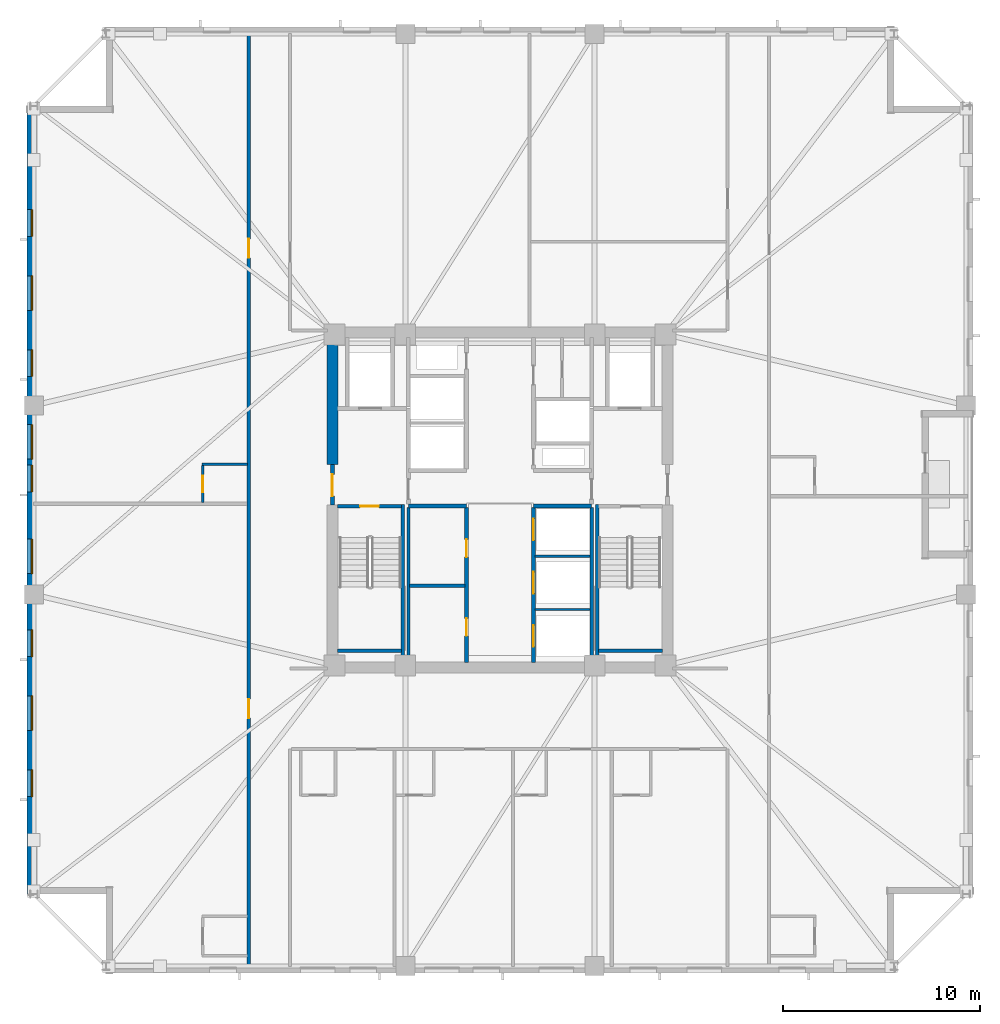
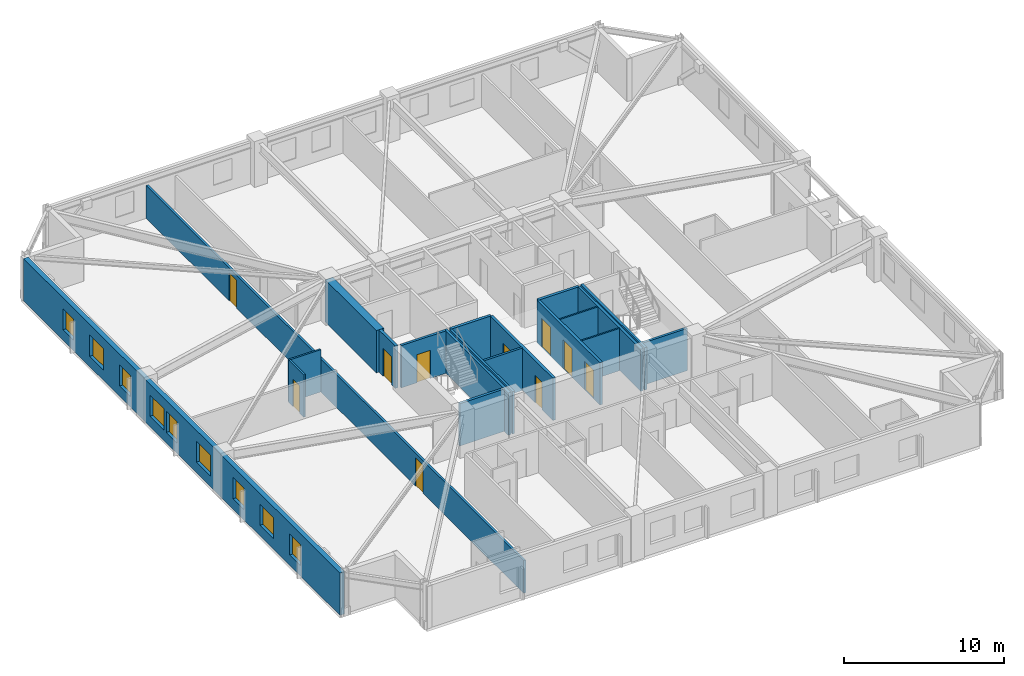
# One storey, part 3 of 11: 20 walls, 10 doors, 9 windows, 19 openings.
"""IFC4 building model written with IfcOpenShell, lengths in metres."""

from ifc_helpers import new_model, si_unit, direction, frame, frame_2d, origin, place, context, subcontext, project, spatial, rectangle, extrude, material, layer, layer_set, type_object, element, fill, save


model = new_model("IFC4")

# Units and contexts
model_context = context("Model", 3, precision=1e-05, world=origin(), true_north=direction((0.0, 1.0)))
body_context = subcontext(model_context, "Body", "Model", "MODEL_VIEW")
ifc_project = project(units=[si_unit("LENGTHUNIT", "METRE"), si_unit("AREAUNIT", "SQUARE_METRE"), si_unit("VOLUMEUNIT", "CUBIC_METRE"), si_unit("PLANEANGLEUNIT", "RADIAN"), si_unit("MASSUNIT", "GRAM", prefix="KILO")], contexts=[model_context])

# Site, building, storey
site_placement = place(None, origin())
site = spatial("IfcSite", under=ifc_project, at=site_placement, CompositionType="ELEMENT")
building_placement = place(site_placement, origin())
building = spatial("IfcBuilding", under=site, at=building_placement, Name="Cairnveth Concourse Tower", CompositionType="ELEMENT")
storey_placement = place(building_placement, frame((0.0, 0.0, 190.0)))
storey = spatial("IfcBuildingStorey", under=building, at=storey_placement, Name="L52", CompositionType="ELEMENT", Elevation=190.0)

# Walls
ifc_material_1 = material(Name="Gypsum Plasterboard Partition", Category="gypsum")
ifc_layer_1 = layer(ifc_material_1, 0.159912109375)
ifc_layer_set_1 = layer_set([ifc_layer_1], Name="Gypsum Plasterboard Partition")
wall_type_1 = type_object("IfcWallType", Name="ACOUSTIC PARTY WALL 180", PredefinedType="PARTITIONING", material=ifc_layer_set_1)
wall_1_placement = place(storey_placement, frame((47.35009765625, 30.760009765625, 0.0), z_axis=(0.0, 0.0, 1.0), x_axis=(0.0, 1.0, 0.0)))
element("IfcWall", 1, at=wall_1_placement, inside=storey, type_object=wall_type_1, Name="Interior Wall IW-L52-025", PredefinedType="PARTITIONING", context=body_context, shape_type="SweptSolid", body=[
    extrude(rectangle(XDim=7.85498046875, YDim=0.159912109375, at=frame_2d((3.927490234375, 0.0))), origin(), (0.0, 0.0, 1.0), 3.239990234375),
])
wall_2_placement = place(storey_placement, frame((47.4150390625, 34.64990234375, 0.0), z_axis=(0.0, 0.0, 1.0), x_axis=(1.0, 0.0, 0.0)))
element("IfcWall", 2, at=wall_2_placement, inside=storey, type_object=wall_type_1, Name="Interior Wall IW-L52-026", PredefinedType="PARTITIONING", context=body_context, shape_type="SweptSolid", body=[
    extrude(rectangle(XDim=2.800048828125, YDim=0.159912109375, at=frame_2d((1.39990234375, 0.0))), origin(), (0.0, 0.0, 1.0), 3.239990234375),
])

# Wall, openings, doors
wall_3_placement = place(storey_placement, frame((39.25, 15.324951171875, 0.0), z_axis=(0.0, 0.0, 1.0), x_axis=(0.0, 1.0, 0.0)))
wall_3 = element("IfcWall", 3, at=wall_3_placement, inside=storey, type_object=wall_type_1, Name="Interior Wall IW-L52-037", PredefinedType="PARTITIONING", context=body_context, shape_type="SweptSolid", body=[
    extrude(rectangle(XDim=47.35009765625, YDim=0.159912109375, at=frame_2d((23.675048828125, 0.0))), origin(), (0.0, 0.0, 1.0), 2.514892578125),
])
opening_1_placement = place(wall_3_placement, frame((12.60986328125, 0.0, 0.0)))
opening_1 = element("IfcOpeningElement", 4, at=opening_1_placement, cuts=wall_3, Name="Opening ID09", PredefinedType="OPENING", context=body_context, shape_type="SweptSolid", body=[
    extrude(rectangle(XDim=0.9599609375, YDim=2.14990234375, at=frame_2d((0.47998046875, 1.074951171875))), frame((0.0, 0.08984375, 0.0), z_axis=(0.0, -1.0, 0.0), x_axis=(1.0, 0.0, 0.0)), (0.0, 0.0, 1.0), 0.179931640625),
])
opening_2_placement = place(wall_3_placement, frame((35.965087890625, 0.0, 0.0)))
opening_2 = element("IfcOpeningElement", 5, at=opening_2_placement, cuts=wall_3, Name="Opening ID09", PredefinedType="OPENING", context=body_context, shape_type="SweptSolid", body=[
    extrude(rectangle(XDim=0.9599609375, YDim=2.14990234375, at=frame_2d((0.47998046875, 1.074951171875))), frame((0.0, 0.08984375, 0.0), z_axis=(0.0, -1.0, 0.0), x_axis=(1.0, 0.0, 0.0)), (0.0, 0.0, 1.0), 0.179931640625),
])
ifc_material_2 = material(Name="Solid Core Hardwood Timber Leaf", Category="wood")
door_type_1 = type_object("IfcDoorType", Name="HOTEL ENTRANCE DOOR 960X2150", OperationType="NOTDEFINED", PredefinedType="DOOR", material=ifc_material_2)
door_1_placement = place(opening_1_placement, origin())
door_1 = element("IfcDoor", 6, at=door_1_placement, inside=storey, type_object=door_type_1, Name="Hotel Room Door L52-W1", OperationType="SINGLE_SWING_RIGHT", OverallHeight=2.14990234375, OverallWidth=0.9599609375, PredefinedType="DOOR", context=body_context, shape_type="SweptSolid", body=[
    extrude(rectangle(XDim=0.9599609375, YDim=2.14990234375, at=frame_2d((0.47998046875, 1.074951171875))), frame((0.0, 0.02490234375, 0.0), z_axis=(0.0, -1.0, 0.0), x_axis=(1.0, 0.0, 0.0)), (0.0, 0.0, 1.0), 0.050048828125),
])
fill(opening_1, door_1)
door_2_placement = place(opening_2_placement, origin())
door_2 = element("IfcDoor", 7, at=door_2_placement, inside=storey, type_object=door_type_1, Name="Hotel Room Door L52-W2", OperationType="SINGLE_SWING_RIGHT", OverallHeight=2.14990234375, OverallWidth=0.9599609375, PredefinedType="DOOR", context=body_context, shape_type="SweptSolid", body=[
    extrude(rectangle(XDim=0.9599609375, YDim=2.14990234375, at=frame_2d((0.47998046875, 1.074951171875))), frame((0.0, 0.02490234375, 0.0), z_axis=(0.0, -1.0, 0.0), x_axis=(1.0, 0.0, 0.0)), (0.0, 0.0, 1.0), 0.050048828125),
])
fill(opening_2, door_2)

# Walls
ifc_material_3 = material(Name="Concrete N80 (80 MPa)", Category="concrete")
ifc_layer_2 = layer(ifc_material_3, 0.550048828125)
ifc_layer_set_2 = layer_set([ifc_layer_2], Name="Concrete N80 (80 MPa)")
wall_type_2 = type_object("IfcWallType", Name="CORE SHEAR WALL 550", PredefinedType="SHEAR", material=ifc_layer_set_2)
wall_4_placement = place(storey_placement, frame((43.5, 40.800048828125, 0.0), z_axis=(0.0, 0.0, 1.0), x_axis=(0.0, 1.0, 0.0)))
element("IfcWall", 8, at=wall_4_placement, inside=storey, type_object=wall_type_2, Name="Core West Shear Wall N L52", PredefinedType="SHEAR", context=body_context, shape_type="SweptSolid", body=[
    extrude(rectangle(XDim=6.43505859375, YDim=0.550048828125, at=frame_2d((3.217529296875, 0.0))), origin(), (0.0, 0.0, 1.0), 3.239990234375),
])
ifc_material_4 = material(Name="Concrete N50 (50 MPa)", Category="concrete")
ifc_layer_3 = layer(ifc_material_4, 0.179931640625)
ifc_layer_set_3 = layer_set([ifc_layer_3], Name="Concrete N50 (50 MPa)")
wall_type_3 = type_object("IfcWallType", Name="FIRE SHAFT WALL 180", PredefinedType="SOLIDWALL", material=ifc_layer_set_3)
wall_5_placement = place(storey_placement, frame((56.64990234375, 30.760009765625, 0.0), z_axis=(0.0, 0.0, 1.0), x_axis=(0.0, 1.0, 0.0)))
element("IfcWall", 9, at=wall_5_placement, inside=storey, type_object=wall_type_3, Name="Interior Wall IW-L52-027", PredefinedType="SOLIDWALL", context=body_context, shape_type="SweptSolid", body=[
    extrude(rectangle(XDim=7.85498046875, YDim=0.179931640625, at=frame_2d((3.927490234375, 0.0))), origin(), (0.0, 0.0, 1.0), 3.239990234375),
])

# Wall, opening, door
wall_6_placement = place(storey_placement, frame((43.764892578125, 38.68994140625, 0.0), z_axis=(0.0, 0.0, 1.0), x_axis=(1.0, 0.0, 0.0)))
wall_6 = element("IfcWall", 10, at=wall_6_placement, inside=storey, type_object=wall_type_3, Name="Stair ST-1 Shaft Wall NEAR L52", PredefinedType="SOLIDWALL", context=body_context, shape_type="SweptSolid", body=[
    extrude(rectangle(XDim=3.230224609375, YDim=0.179931640625, at=frame_2d((1.615234375, 0.0))), origin(), (0.0, 0.0, 1.0), 3.239990234375),
])
opening_3_placement = place(wall_6_placement, frame((1.139892578125, 0.0, 0.0)))
opening_3 = element("IfcOpeningElement", 11, at=opening_3_placement, cuts=wall_6, Name="Opening ID12", PredefinedType="OPENING", context=body_context, shape_type="SweptSolid", body=[
    extrude(rectangle(XDim=0.949951171875, YDim=2.14990234375, at=frame_2d((0.47509765625, 1.074951171875))), frame((0.0, 0.099853515625, 0.0), z_axis=(0.0, -1.0, 0.0), x_axis=(1.0, 0.0, 0.0)), (0.0, 0.0, 1.0), 0.199951171875),
])
ifc_material_5 = material(Name="Steel Grade 350", Category="steel")
door_type_2 = type_object("IfcDoorType", Name="FIRE STAIR DOOR 950X2150", OperationType="NOTDEFINED", PredefinedType="DOOR", material=ifc_material_5)
door_3_placement = place(opening_3_placement, origin())
door_3 = element("IfcDoor", 12, at=door_3_placement, inside=storey, type_object=door_type_2, Name="Stair ST-1 Fire Door L52", OperationType="SINGLE_SWING_LEFT", OverallHeight=2.14990234375, OverallWidth=0.949951171875, PredefinedType="DOOR", context=body_context, shape_type="SweptSolid", body=[
    extrude(rectangle(XDim=0.949951171875, YDim=2.14990234375, at=frame_2d((0.47509765625, 1.074951171875))), frame((0.0, 0.02490234375, 0.0), z_axis=(0.0, -1.0, 0.0), x_axis=(1.0, 0.0, 0.0)), (0.0, 0.0, 1.0), 0.050048828125),
])
fill(opening_3, door_3)

# Walls
wall_7_placement = place(storey_placement, frame((43.764892578125, 31.360107421875, 0.0), z_axis=(0.0, 0.0, 1.0), x_axis=(1.0, 0.0, 0.0)))
element("IfcWall", 13, at=wall_7_placement, inside=storey, type_object=wall_type_3, Name="Stair ST-1 Shaft Wall FAR L52", PredefinedType="SOLIDWALL", context=body_context, shape_type="SweptSolid", body=[
    extrude(rectangle(XDim=3.230224609375, YDim=0.179931640625, at=frame_2d((1.615234375, 0.0))), origin(), (0.0, 0.0, 1.0), 3.239990234375),
])
wall_8_placement = place(storey_placement, frame((47.070068359375, 38.780029296875, 0.0), z_axis=(0.0, 0.0, 1.0), x_axis=(0.0, -1.0, 0.0)))
element("IfcWall", 14, at=wall_8_placement, inside=storey, type_object=wall_type_3, Name="Stair ST-1 Shaft Wall RGHT L52", PredefinedType="SOLIDWALL", context=body_context, shape_type="SweptSolid", body=[
    extrude(rectangle(XDim=8.01708984375, YDim=0.179931640625, at=frame_2d((4.008544921875, 0.0))), origin(), (0.0, 0.0, 1.0), 3.239990234375),
])
wall_9_placement = place(storey_placement, frame((57.0048828125, 31.360107421875, 0.0), z_axis=(0.0, 0.0, 1.0), x_axis=(1.0, 0.0, 0.0)))
element("IfcWall", 15, at=wall_9_placement, inside=storey, type_object=wall_type_3, Name="Stair ST-2 Shaft Wall FAR L52", PredefinedType="SOLIDWALL", context=body_context, shape_type="SweptSolid", body=[
    extrude(rectangle(XDim=3.230224609375, YDim=0.179931640625, at=frame_2d((1.615234375, 0.0))), origin(), (0.0, 0.0, 1.0), 3.239990234375),
])
wall_10_placement = place(storey_placement, frame((56.929931640625, 38.780029296875, 0.0), z_axis=(0.0, 0.0, 1.0), x_axis=(0.0, -1.0, 0.0)))
element("IfcWall", 16, at=wall_10_placement, inside=storey, type_object=wall_type_3, Name="Stair ST-2 Shaft Wall LEFT L52", PredefinedType="SOLIDWALL", context=body_context, shape_type="SweptSolid", body=[
    extrude(rectangle(XDim=8.01708984375, YDim=0.179931640625, at=frame_2d((4.008544921875, 0.0))), origin(), (0.0, 0.0, 1.0), 3.239990234375),
])
ifc_layer_4 = layer(ifc_material_4, 0.199951171875)
ifc_layer_set_4 = layer_set([ifc_layer_4], Name="Concrete N50 (50 MPa)")
wall_type_4 = type_object("IfcWallType", Name="FIRE SHAFT WALL 200", PredefinedType="SOLIDWALL", material=ifc_layer_set_4)
for number, where, z_axis, x_axis, name in (
    (17, (47.35009765625, 38.699951171875, 0.0), (0.0, 0.0, 1.0), (1.0, 0.0, 0.0), "Interior Wall IW-L52-007"),
    (18, (53.699951171875, 38.699951171875, 0.0), (0.0, 0.0, 1.0), (1.0, 0.0, 0.0), "Interior Wall IW-L52-009"),
):
    element("IfcWall", number, at=place(storey_placement, frame(where, z_axis=z_axis, x_axis=x_axis)), inside=storey, type_object=wall_type_4, Name=name, PredefinedType="SOLIDWALL", context=body_context, shape_type="SweptSolid", body=[
        extrude(rectangle(XDim=2.949951171875, YDim=0.199951171875, at=frame_2d((1.47509765625, 0.0))), origin(), (0.0, 0.0, 1.0), 3.239990234375),
    ])

# Wall, openings, doors
wall_11_placement = place(storey_placement, frame((50.300048828125, 30.760009765625, 0.0), z_axis=(0.0, 0.0, 1.0), x_axis=(0.0, 1.0, 0.0)))
wall_11 = element("IfcWall", 19, at=wall_11_placement, inside=storey, type_object=wall_type_4, Name="Interior Wall IW-L52-011", PredefinedType="SOLIDWALL", context=body_context, shape_type="SweptSolid", body=[
    extrude(rectangle(XDim=7.85498046875, YDim=0.199951171875, at=frame_2d((3.927490234375, 0.0))), origin(), (0.0, 0.0, 1.0), 3.239990234375),
])
opening_4_placement = place(wall_11_placement, frame((1.340087890625, 0.0, 0.0)))
opening_4 = element("IfcOpeningElement", 20, at=opening_4_placement, cuts=wall_11, Name="Opening ID26", PredefinedType="OPENING", context=body_context, shape_type="SweptSolid", body=[
    extrude(rectangle(XDim=0.89990234375, YDim=2.1201171875, at=frame_2d((0.449951171875, 1.06005859375))), frame((0.0, 0.10986328125, 0.0), z_axis=(0.0, -1.0, 0.0), x_axis=(1.0, 0.0, 0.0)), (0.0, 0.0, 1.0), 0.219970703125),
])
opening_5_placement = place(wall_11_placement, frame((5.340087890625, 0.0, 0.0)))
opening_5 = element("IfcOpeningElement", 21, at=opening_5_placement, cuts=wall_11, Name="Opening ID26", PredefinedType="OPENING", context=body_context, shape_type="SweptSolid", body=[
    extrude(rectangle(XDim=0.89990234375, YDim=2.1201171875, at=frame_2d((0.449951171875, 1.06005859375))), frame((0.0, 0.10986328125, 0.0), z_axis=(0.0, -1.0, 0.0), x_axis=(1.0, 0.0, 0.0)), (0.0, 0.0, 1.0), 0.219970703125),
])
door_type_3 = type_object("IfcDoorType", Name="CORE TOILET FIRE DOOR 900X2120", OperationType="NOTDEFINED", PredefinedType="DOOR", material=ifc_material_5)
door_4_placement = place(opening_4_placement, origin())
door_4 = element("IfcDoor", 22, at=door_4_placement, inside=storey, type_object=door_type_3, Name="Male WC Door L52", OperationType="SINGLE_SWING_LEFT", OverallHeight=2.1201171875, OverallWidth=0.89990234375, PredefinedType="DOOR", context=body_context, shape_type="SweptSolid", body=[
    extrude(rectangle(XDim=0.89990234375, YDim=2.1201171875, at=frame_2d((0.449951171875, 1.06005859375))), frame((0.0, 0.02490234375, 0.0), z_axis=(0.0, -1.0, 0.0), x_axis=(1.0, 0.0, 0.0)), (0.0, 0.0, 1.0), 0.050048828125),
])
fill(opening_4, door_4)
door_5_placement = place(opening_5_placement, origin())
door_5 = element("IfcDoor", 23, at=door_5_placement, inside=storey, type_object=door_type_3, Name="Female WC Door L52", OperationType="SINGLE_SWING_RIGHT", OverallHeight=2.1201171875, OverallWidth=0.89990234375, PredefinedType="DOOR", context=body_context, shape_type="SweptSolid", body=[
    extrude(rectangle(XDim=0.89990234375, YDim=2.1201171875, at=frame_2d((0.449951171875, 1.06005859375))), frame((0.0, 0.02490234375, 0.0), z_axis=(0.0, -1.0, 0.0), x_axis=(1.0, 0.0, 0.0)), (0.0, 0.0, 1.0), 0.050048828125),
])
fill(opening_5, door_5)

wall_12_placement = place(storey_placement, frame((53.699951171875, 30.760009765625, 0.0), z_axis=(0.0, 0.0, 1.0), x_axis=(0.0, 1.0, 0.0)))
wall_12 = element("IfcWall", 24, at=wall_12_placement, inside=storey, type_object=wall_type_4, Name="Interior Wall IW-L52-012", PredefinedType="SOLIDWALL", context=body_context, shape_type="SweptSolid", body=[
    extrude(rectangle(XDim=7.85498046875, YDim=0.199951171875, at=frame_2d((3.927490234375, 0.0))), origin(), (0.0, 0.0, 1.0), 3.239990234375),
])
opening_6_placement = place(wall_12_placement, frame((0.7900390625, 0.0, 0.0)))
opening_6 = element("IfcOpeningElement", 25, at=opening_6_placement, cuts=wall_12, Name="Opening LD-1", PredefinedType="OPENING", context=body_context, shape_type="SweptSolid", body=[
    extrude(rectangle(XDim=1.10009765625, YDim=2.199951171875, at=frame_2d((0.550048828125, 1.10009765625))), frame((0.0, 0.10986328125, 0.0), z_axis=(0.0, -1.0, 0.0), x_axis=(1.0, 0.0, 0.0)), (0.0, 0.0, 1.0), 0.219970703125),
])
opening_7_placement = place(wall_12_placement, frame((3.489990234375, 0.0, 0.0)))
opening_7 = element("IfcOpeningElement", 26, at=opening_7_placement, cuts=wall_12, Name="Opening LD-1", PredefinedType="OPENING", context=body_context, shape_type="SweptSolid", body=[
    extrude(rectangle(XDim=1.10009765625, YDim=2.199951171875, at=frame_2d((0.550048828125, 1.10009765625))), frame((0.0, 0.10986328125, 0.0), z_axis=(0.0, -1.0, 0.0), x_axis=(1.0, 0.0, 0.0)), (0.0, 0.0, 1.0), 0.219970703125),
])
opening_8_placement = place(wall_12_placement, frame((6.18994140625, 0.0, 0.0)))
opening_8 = element("IfcOpeningElement", 27, at=opening_8_placement, cuts=wall_12, Name="Opening LD-1", PredefinedType="OPENING", context=body_context, shape_type="SweptSolid", body=[
    extrude(rectangle(XDim=1.10009765625, YDim=2.199951171875, at=frame_2d((0.550048828125, 1.10009765625))), frame((0.0, 0.10986328125, 0.0), z_axis=(0.0, -1.0, 0.0), x_axis=(1.0, 0.0, 0.0)), (0.0, 0.0, 1.0), 0.219970703125),
])
ifc_material_6 = material(Name="Architectural Bronze Anodised Aluminium 6063-T6", Category="aluminium")
door_type_4 = type_object("IfcDoorType", Name="LIFT LANDING DOOR 1100X2200", OperationType="SLIDING_TO_LEFT", PredefinedType="DOOR", material=ifc_material_6)
door_6_placement = place(opening_6_placement, origin())
door_6 = element("IfcDoor", 28, at=door_6_placement, inside=storey, type_object=door_type_4, Name="Lift PL4 Landing Door L52", OperationType="SLIDING_TO_LEFT", OverallHeight=2.199951171875, OverallWidth=1.10009765625, PredefinedType="DOOR", context=body_context, shape_type="SweptSolid", body=[
    extrude(rectangle(XDim=1.10009765625, YDim=2.199951171875, at=frame_2d((0.550048828125, 1.10009765625))), frame((0.0, 0.02490234375, 0.0), z_axis=(0.0, -1.0, 0.0), x_axis=(1.0, 0.0, 0.0)), (0.0, 0.0, 1.0), 0.050048828125),
])
fill(opening_6, door_6)
door_7_placement = place(opening_7_placement, origin())
door_7 = element("IfcDoor", 29, at=door_7_placement, inside=storey, type_object=door_type_4, Name="Lift PL5 Landing Door L52", OperationType="SLIDING_TO_LEFT", OverallHeight=2.199951171875, OverallWidth=1.10009765625, PredefinedType="DOOR", context=body_context, shape_type="SweptSolid", body=[
    extrude(rectangle(XDim=1.10009765625, YDim=2.199951171875, at=frame_2d((0.550048828125, 1.10009765625))), frame((0.0, 0.02490234375, 0.0), z_axis=(0.0, -1.0, 0.0), x_axis=(1.0, 0.0, 0.0)), (0.0, 0.0, 1.0), 0.050048828125),
])
fill(opening_7, door_7)
door_8_placement = place(opening_8_placement, origin())
door_8 = element("IfcDoor", 30, at=door_8_placement, inside=storey, type_object=door_type_4, Name="Lift PL6 Landing Door L52", OperationType="SLIDING_TO_LEFT", OverallHeight=2.199951171875, OverallWidth=1.10009765625, PredefinedType="DOOR", context=body_context, shape_type="SweptSolid", body=[
    extrude(rectangle(XDim=1.10009765625, YDim=2.199951171875, at=frame_2d((0.550048828125, 1.10009765625))), frame((0.0, 0.02490234375, 0.0), z_axis=(0.0, -1.0, 0.0), x_axis=(1.0, 0.0, 0.0)), (0.0, 0.0, 1.0), 0.050048828125),
])
fill(opening_8, door_8)

# Wall, opening, door
wall_13_placement = place(storey_placement, frame((43.5, 38.75, 0.0), z_axis=(0.0, 0.0, 1.0), x_axis=(0.0, 1.0, 0.0)))
wall_13 = element("IfcWall", 31, at=wall_13_placement, inside=storey, type_object=wall_type_4, Name="Interior Wall IW-L52-015", PredefinedType="SOLIDWALL", context=body_context, shape_type="SweptSolid", body=[
    extrude(rectangle(XDim=2.050048828125, YDim=0.199951171875, at=frame_2d((1.02490234375, 0.0))), origin(), (0.0, 0.0, 1.0), 3.239990234375),
])
opening_9_placement = place(wall_13_placement, frame((0.449951171875, 0.0, 0.0)))
opening_9 = element("IfcOpeningElement", 32, at=opening_9_placement, cuts=wall_13, Name="Opening ID06", PredefinedType="OPENING", context=body_context, shape_type="SweptSolid", body=[
    extrude(rectangle(XDim=1.10009765625, YDim=2.14990234375, at=frame_2d((0.550048828125, 1.074951171875))), frame((0.0, 0.10986328125, 0.0), z_axis=(0.0, -1.0, 0.0), x_axis=(1.0, 0.0, 0.0)), (0.0, 0.0, 1.0), 0.219970703125),
])
door_type_5 = type_object("IfcDoorType", Name="FIRE CORRIDOR DOOR 1100X2150", OperationType="NOTDEFINED", PredefinedType="DOOR", material=ifc_material_5)
door_9_placement = place(opening_9_placement, origin())
door_9 = element("IfcDoor", 33, at=door_9_placement, inside=storey, type_object=door_type_5, Name="West Wing to FF Lobby Door L52", OperationType="SINGLE_SWING_LEFT", OverallHeight=2.14990234375, OverallWidth=1.10009765625, PredefinedType="DOOR", context=body_context, shape_type="SweptSolid", body=[
    extrude(rectangle(XDim=1.10009765625, YDim=2.14990234375, at=frame_2d((0.550048828125, 1.074951171875))), frame((0.0, 0.02490234375, 0.0), z_axis=(0.0, -1.0, 0.0), x_axis=(1.0, 0.0, 0.0)), (0.0, 0.0, 1.0), 0.050048828125),
])
fill(opening_9, door_9)

# Walls
ifc_layer_5 = layer(ifc_material_1, 0.110107421875)
ifc_layer_set_5 = layer_set([ifc_layer_5], Name="Gypsum Plasterboard Partition")
wall_type_5 = type_object("IfcWallType", Name="SHAFT DIVIDER WALL 140", PredefinedType="PARTITIONING", material=ifc_layer_set_5)
for number, where, z_axis, x_axis, name in (
    (34, (53.784912109375, 33.449951171875, 0.0), (0.0, 0.0, 1.0), (1.0, 0.0, 0.0), "Interior Wall IW-L52-028"),
    (35, (53.784912109375, 36.14990234375, 0.0), (0.0, 0.0, 1.0), (1.0, 0.0, 0.0), "Interior Wall IW-L52-029"),
):
    element("IfcWall", number, at=place(storey_placement, frame(where, z_axis=z_axis, x_axis=x_axis)), inside=storey, type_object=wall_type_5, Name=name, PredefinedType="PARTITIONING", context=body_context, shape_type="SweptSolid", body=[
        extrude(rectangle(XDim=2.7900390625, YDim=0.110107421875, at=frame_2d((1.39501953125, 0.0))), origin(), (0.0, 0.0, 1.0), 3.239990234375),
    ])
ifc_layer_6 = layer(ifc_material_1, 0.1298828125)
ifc_layer_set_6 = layer_set([ifc_layer_6], Name="Gypsum Plasterboard Partition")
wall_type_6 = type_object("IfcWallType", Name="WET AREA PARTITION 140", PredefinedType="PLUMBINGWALL", material=ifc_layer_set_6)
wall_14_placement = place(storey_placement, frame((36.8701171875, 40.809814453125, 0.0), z_axis=(0.0, 0.0, 1.0), x_axis=(1.0, 0.0, 0.0)))
element("IfcWall", 36, at=wall_14_placement, inside=storey, type_object=wall_type_6, Name="Interior Wall IW-L52-066", PredefinedType="PLUMBINGWALL", context=body_context, shape_type="SweptSolid", body=[
    extrude(rectangle(XDim=2.31494140625, YDim=0.1298828125, at=frame_2d((1.157470703125, 0.0))), origin(), (0.0, 0.0, 1.0), 3.239990234375),
])

# Wall, opening, door
wall_15_placement = place(storey_placement, frame((36.919921875, 38.875, 0.0), z_axis=(0.0, 0.0, 1.0), x_axis=(0.0, 1.0, 0.0)))
wall_15 = element("IfcWall", 37, at=wall_15_placement, inside=storey, type_object=wall_type_6, Name="Interior Wall IW-L52-067", PredefinedType="PLUMBINGWALL", context=body_context, shape_type="SweptSolid", body=[
    extrude(rectangle(XDim=1.885009765625, YDim=0.1298828125, at=frame_2d((0.9423828125, 0.0))), origin(), (0.0, 0.0, 1.0), 3.239990234375),
])
opening_10_placement = place(wall_15_placement, frame((0.52490234375, 0.0, 0.0)))
opening_10 = element("IfcOpeningElement", 38, at=opening_10_placement, cuts=wall_15, Name="Opening ID22", PredefinedType="OPENING", context=body_context, shape_type="SweptSolid", body=[
    extrude(rectangle(XDim=0.820068359375, YDim=2.10009765625, at=frame_2d((0.41015625, 1.050048828125))), frame((0.0, 0.074951171875, 0.0), z_axis=(0.0, -1.0, 0.0), x_axis=(1.0, 0.0, 0.0)), (0.0, 0.0, 1.0), 0.14990234375),
])
door_type_6 = type_object("IfcDoorType", Name="INTERIOR WC DOOR 820X2100", OperationType="NOTDEFINED", PredefinedType="DOOR", material=ifc_material_2)
door_10_placement = place(opening_10_placement, origin())
door_10 = element("IfcDoor", 39, at=door_10_placement, inside=storey, type_object=door_type_6, Name="En-Suite Door L52-W2", OperationType="SINGLE_SWING_LEFT", OverallHeight=2.10009765625, OverallWidth=0.820068359375, PredefinedType="DOOR", context=body_context, shape_type="SweptSolid", body=[
    extrude(rectangle(XDim=0.820068359375, YDim=2.10009765625, at=frame_2d((0.41015625, 1.050048828125))), frame((0.0, 0.02490234375, 0.0), z_axis=(0.0, -1.0, 0.0), x_axis=(1.0, 0.0, 0.0)), (0.0, 0.0, 1.0), 0.050048828125),
])
fill(opening_10, door_10)

# Wall, openings, windows
ifc_material_7 = material(Name="Hawthorn Red-Ochre Fired Clay Brick Masonry", Category="masonry")
ifc_layer_7 = layer(ifc_material_7, 0.340087890625)
ifc_layer_set_7 = layer_set([ifc_layer_7], Name="Hawthorn Red-Ochre Fired Clay Brick Masonry")
wall_type_7 = type_object("IfcWallType", Name="ZONE 2 BRICK PIER SPANDREL WALL 340", PredefinedType="SOLIDWALL", material=ifc_layer_set_7)
wall_16_placement = place(storey_placement, frame((28.169921875, 19.0, 0.0), z_axis=(0.0, 0.0, 1.0), x_axis=(0.0, 1.0, 0.0)))
wall_16 = element("IfcWall", 40, at=wall_16_placement, inside=storey, type_object=wall_type_7, Name="Exterior Wall EW-L52-S06", PredefinedType="SOLIDWALL", context=body_context, shape_type="SweptSolid", body=[
    extrude(rectangle(XDim=39.681884765625, YDim=0.340087890625, at=frame_2d((19.8408203125, 0.0))), origin(), (0.0, 0.0, 1.0), 3.239990234375),
])
opening_11_placement = place(wall_16_placement, frame((4.951904296875, 0.0, 0.800048828125)))
opening_11 = element("IfcOpeningElement", 41, at=opening_11_placement, cuts=wall_16, Name="Opening W02", PredefinedType="OPENING", context=body_context, shape_type="SweptSolid", body=[
    extrude(rectangle(XDim=1.35009765625, YDim=1.6201171875, at=frame_2d((0.675048828125, 0.81005859375))), frame((0.0, 0.179931640625, 0.0), z_axis=(0.0, -1.0, 0.0), x_axis=(1.0, 0.0, 0.0)), (0.0, 0.0, 1.0), 0.360107421875),
])
opening_12_placement = place(wall_16_placement, frame((8.305419921875, 0.0, 0.800048828125)))
opening_12 = element("IfcOpeningElement", 42, at=opening_12_placement, cuts=wall_16, Name="Opening W06", PredefinedType="OPENING", context=body_context, shape_type="SweptSolid", body=[
    extrude(rectangle(XDim=1.75, YDim=1.6201171875, at=frame_2d((0.875, 0.81005859375))), frame((0.0, 0.179931640625, 0.0), z_axis=(0.0, -1.0, 0.0), x_axis=(1.0, 0.0, 0.0)), (0.0, 0.0, 1.0), 0.360107421875),
])
opening_13_placement = place(wall_16_placement, frame((12.058837890625, 0.0, 0.800048828125)))
opening_13 = element("IfcOpeningElement", 43, at=opening_13_placement, cuts=wall_16, Name="Opening W02", PredefinedType="OPENING", context=body_context, shape_type="SweptSolid", body=[
    extrude(rectangle(XDim=1.35009765625, YDim=1.6201171875, at=frame_2d((0.675048828125, 0.81005859375))), frame((0.0, 0.179931640625, 0.0), z_axis=(0.0, -1.0, 0.0), x_axis=(1.0, 0.0, 0.0)), (0.0, 0.0, 1.0), 0.360107421875),
])
opening_14_placement = place(wall_16_placement, frame((16.262451171875, 0.0, 0.800048828125)))
opening_14 = element("IfcOpeningElement", 44, at=opening_14_placement, cuts=wall_16, Name="Opening W06", PredefinedType="OPENING", context=body_context, shape_type="SweptSolid", body=[
    extrude(rectangle(XDim=1.75, YDim=1.6201171875, at=frame_2d((0.875, 0.81005859375))), frame((0.0, 0.179931640625, 0.0), z_axis=(0.0, -1.0, 0.0), x_axis=(1.0, 0.0, 0.0)), (0.0, 0.0, 1.0), 0.360107421875),
])
opening_15_placement = place(wall_16_placement, frame((20.416015625, 0.0, 0.800048828125)))
opening_15 = element("IfcOpeningElement", 45, at=opening_15_placement, cuts=wall_16, Name="Opening W02", PredefinedType="OPENING", context=body_context, shape_type="SweptSolid", body=[
    extrude(rectangle(XDim=1.35009765625, YDim=1.6201171875, at=frame_2d((0.675048828125, 0.81005859375))), frame((0.0, 0.179931640625, 0.0), z_axis=(0.0, -1.0, 0.0), x_axis=(1.0, 0.0, 0.0)), (0.0, 0.0, 1.0), 0.360107421875),
])
opening_16_placement = place(wall_16_placement, frame((22.069580078125, 0.0, 0.800048828125)))
opening_16 = element("IfcOpeningElement", 46, at=opening_16_placement, cuts=wall_16, Name="Opening W06", PredefinedType="OPENING", context=body_context, shape_type="SweptSolid", body=[
    extrude(rectangle(XDim=1.75, YDim=1.6201171875, at=frame_2d((0.875, 0.81005859375))), frame((0.0, 0.179931640625, 0.0), z_axis=(0.0, -1.0, 0.0), x_axis=(1.0, 0.0, 0.0)), (0.0, 0.0, 1.0), 0.360107421875),
])
opening_17_placement = place(wall_16_placement, frame((26.273193359375, 0.0, 0.800048828125)))
opening_17 = element("IfcOpeningElement", 47, at=opening_17_placement, cuts=wall_16, Name="Opening W02", PredefinedType="OPENING", context=body_context, shape_type="SweptSolid", body=[
    extrude(rectangle(XDim=1.35009765625, YDim=1.6201171875, at=frame_2d((0.675048828125, 0.81005859375))), frame((0.0, 0.179931640625, 0.0), z_axis=(0.0, -1.0, 0.0), x_axis=(1.0, 0.0, 0.0)), (0.0, 0.0, 1.0), 0.360107421875),
])
opening_18_placement = place(wall_16_placement, frame((29.626708984375, 0.0, 0.800048828125)))
opening_18 = element("IfcOpeningElement", 48, at=opening_18_placement, cuts=wall_16, Name="Opening W06", PredefinedType="OPENING", context=body_context, shape_type="SweptSolid", body=[
    extrude(rectangle(XDim=1.75, YDim=1.6201171875, at=frame_2d((0.875, 0.81005859375))), frame((0.0, 0.179931640625, 0.0), z_axis=(0.0, -1.0, 0.0), x_axis=(1.0, 0.0, 0.0)), (0.0, 0.0, 1.0), 0.360107421875),
])
opening_19_placement = place(wall_16_placement, frame((33.380126953125, 0.0, 0.800048828125)))
opening_19 = element("IfcOpeningElement", 49, at=opening_19_placement, cuts=wall_16, Name="Opening W02", PredefinedType="OPENING", context=body_context, shape_type="SweptSolid", body=[
    extrude(rectangle(XDim=1.35009765625, YDim=1.6201171875, at=frame_2d((0.675048828125, 0.81005859375))), frame((0.0, 0.179931640625, 0.0), z_axis=(0.0, -1.0, 0.0), x_axis=(1.0, 0.0, 0.0)), (0.0, 0.0, 1.0), 0.360107421875),
])
ifc_material_8 = material(Name="Double Glazed Low-E Clear Glass", Category="glass")
window_type_1 = type_object("IfcWindowType", Name="DEEP-SET GOTHIC LANCET WINDOW 1350X1800", PartitioningType="DOUBLE_PANEL_VERTICAL", PredefinedType="WINDOW", material=ifc_material_8)
window_1_placement = place(opening_11_placement, origin())
window_1 = element("IfcWindow", 50, at=window_1_placement, inside=storey, type_object=window_type_1, Name="Gothic Lancet Window L52-6-1", OverallHeight=1.6201171875, OverallWidth=1.35009765625, PartitioningType="SINGLE_PANEL", PredefinedType="WINDOW", context=body_context, shape_type="SweptSolid", body=[
    extrude(rectangle(XDim=1.35009765625, YDim=1.6201171875, at=frame_2d((0.675048828125, 0.81005859375))), frame((0.0, -0.050048828125, 0.0), z_axis=(0.0, -1.0, 0.0), x_axis=(1.0, 0.0, 0.0)), (0.0, 0.0, 1.0), 0.06005859375),
])
fill(opening_11, window_1)
window_2_placement = place(opening_13_placement, origin())
window_2 = element("IfcWindow", 51, at=window_2_placement, inside=storey, type_object=window_type_1, Name="Gothic Lancet Window L52-6-3", OverallHeight=1.6201171875, OverallWidth=1.35009765625, PartitioningType="SINGLE_PANEL", PredefinedType="WINDOW", context=body_context, shape_type="SweptSolid", body=[
    extrude(rectangle(XDim=1.35009765625, YDim=1.6201171875, at=frame_2d((0.675048828125, 0.81005859375))), frame((0.0, -0.050048828125, 0.0), z_axis=(0.0, -1.0, 0.0), x_axis=(1.0, 0.0, 0.0)), (0.0, 0.0, 1.0), 0.06005859375),
])
fill(opening_13, window_2)
window_3_placement = place(opening_15_placement, origin())
window_3 = element("IfcWindow", 52, at=window_3_placement, inside=storey, type_object=window_type_1, Name="Gothic Lancet Window L52-6-5", OverallHeight=1.6201171875, OverallWidth=1.35009765625, PartitioningType="SINGLE_PANEL", PredefinedType="WINDOW", context=body_context, shape_type="SweptSolid", body=[
    extrude(rectangle(XDim=1.35009765625, YDim=1.6201171875, at=frame_2d((0.675048828125, 0.81005859375))), frame((0.0, -0.050048828125, 0.0), z_axis=(0.0, -1.0, 0.0), x_axis=(1.0, 0.0, 0.0)), (0.0, 0.0, 1.0), 0.06005859375),
])
fill(opening_15, window_3)
window_4_placement = place(opening_17_placement, origin())
window_4 = element("IfcWindow", 53, at=window_4_placement, inside=storey, type_object=window_type_1, Name="Gothic Lancet Window L52-6-7", OverallHeight=1.6201171875, OverallWidth=1.35009765625, PartitioningType="SINGLE_PANEL", PredefinedType="WINDOW", context=body_context, shape_type="SweptSolid", body=[
    extrude(rectangle(XDim=1.35009765625, YDim=1.6201171875, at=frame_2d((0.675048828125, 0.81005859375))), frame((0.0, -0.050048828125, 0.0), z_axis=(0.0, -1.0, 0.0), x_axis=(1.0, 0.0, 0.0)), (0.0, 0.0, 1.0), 0.06005859375),
])
fill(opening_17, window_4)
window_5_placement = place(opening_19_placement, origin())
window_5 = element("IfcWindow", 54, at=window_5_placement, inside=storey, type_object=window_type_1, Name="Gothic Lancet Window L52-6-9", OverallHeight=1.6201171875, OverallWidth=1.35009765625, PartitioningType="SINGLE_PANEL", PredefinedType="WINDOW", context=body_context, shape_type="SweptSolid", body=[
    extrude(rectangle(XDim=1.35009765625, YDim=1.6201171875, at=frame_2d((0.675048828125, 0.81005859375))), frame((0.0, -0.050048828125, 0.0), z_axis=(0.0, -1.0, 0.0), x_axis=(1.0, 0.0, 0.0)), (0.0, 0.0, 1.0), 0.06005859375),
])
fill(opening_19, window_5)
window_type_2 = type_object("IfcWindowType", Name="DEEP-SET HOTEL SUITE WINDOW 1750X1800", PartitioningType="DOUBLE_PANEL_VERTICAL", PredefinedType="WINDOW", material=ifc_material_8)
window_6_placement = place(opening_12_placement, origin())
window_6 = element("IfcWindow", 55, at=window_6_placement, inside=storey, type_object=window_type_2, Name="Gothic Lancet Window L52-6-2", OverallHeight=1.6201171875, OverallWidth=1.75, PartitioningType="SINGLE_PANEL", PredefinedType="WINDOW", context=body_context, shape_type="SweptSolid", body=[
    extrude(rectangle(XDim=1.75, YDim=1.6201171875, at=frame_2d((0.875, 0.81005859375))), frame((0.0, -0.050048828125, 0.0), z_axis=(0.0, -1.0, 0.0), x_axis=(1.0, 0.0, 0.0)), (0.0, 0.0, 1.0), 0.06005859375),
])
fill(opening_12, window_6)
window_7_placement = place(opening_14_placement, origin())
window_7 = element("IfcWindow", 56, at=window_7_placement, inside=storey, type_object=window_type_2, Name="Gothic Lancet Window L52-6-4", OverallHeight=1.6201171875, OverallWidth=1.75, PartitioningType="SINGLE_PANEL", PredefinedType="WINDOW", context=body_context, shape_type="SweptSolid", body=[
    extrude(rectangle(XDim=1.75, YDim=1.6201171875, at=frame_2d((0.875, 0.81005859375))), frame((0.0, -0.050048828125, 0.0), z_axis=(0.0, -1.0, 0.0), x_axis=(1.0, 0.0, 0.0)), (0.0, 0.0, 1.0), 0.06005859375),
])
fill(opening_14, window_7)
window_8_placement = place(opening_16_placement, origin())
window_8 = element("IfcWindow", 57, at=window_8_placement, inside=storey, type_object=window_type_2, Name="Gothic Lancet Window L52-6-6", OverallHeight=1.6201171875, OverallWidth=1.75, PartitioningType="SINGLE_PANEL", PredefinedType="WINDOW", context=body_context, shape_type="SweptSolid", body=[
    extrude(rectangle(XDim=1.75, YDim=1.6201171875, at=frame_2d((0.875, 0.81005859375))), frame((0.0, -0.050048828125, 0.0), z_axis=(0.0, -1.0, 0.0), x_axis=(1.0, 0.0, 0.0)), (0.0, 0.0, 1.0), 0.06005859375),
])
fill(opening_16, window_8)
window_9_placement = place(opening_18_placement, origin())
window_9 = element("IfcWindow", 58, at=window_9_placement, inside=storey, type_object=window_type_2, Name="Gothic Lancet Window L52-6-8", OverallHeight=1.6201171875, OverallWidth=1.75, PartitioningType="SINGLE_PANEL", PredefinedType="WINDOW", context=body_context, shape_type="SweptSolid", body=[
    extrude(rectangle(XDim=1.75, YDim=1.6201171875, at=frame_2d((0.875, 0.81005859375))), frame((0.0, -0.050048828125, 0.0), z_axis=(0.0, -1.0, 0.0), x_axis=(1.0, 0.0, 0.0)), (0.0, 0.0, 1.0), 0.06005859375),
])
fill(opening_18, window_9)

save(model, "model.ifc")
